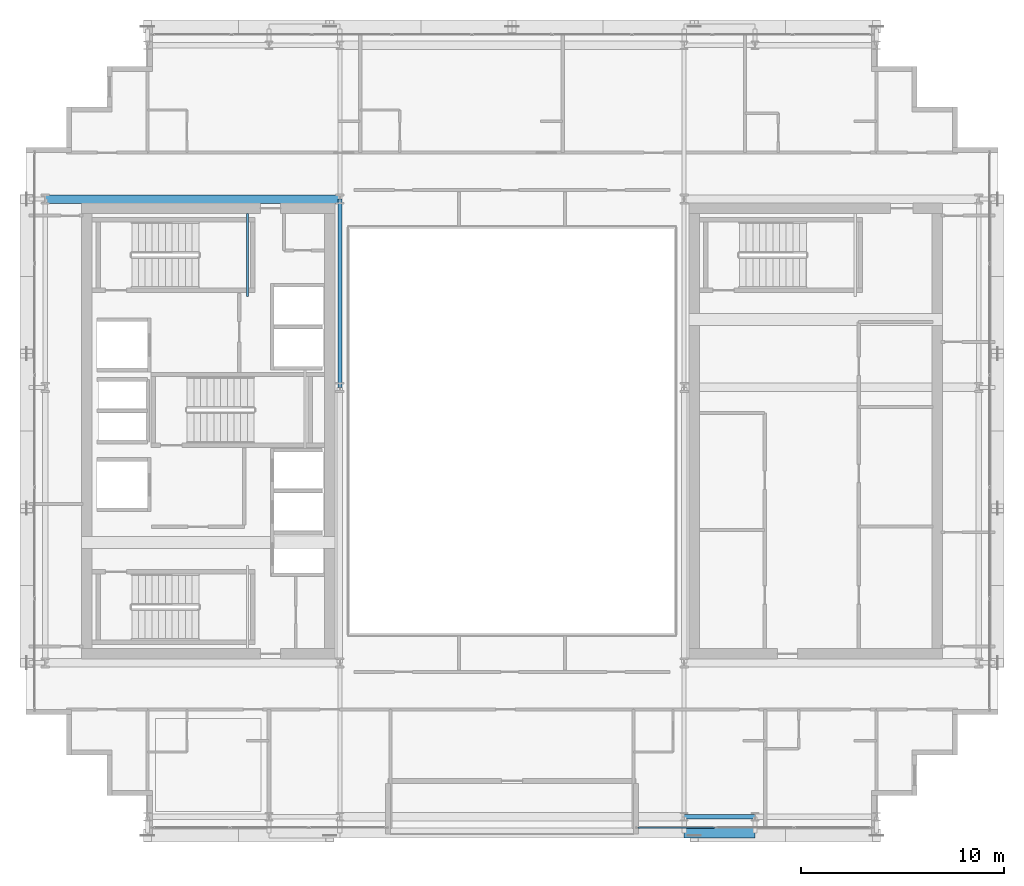
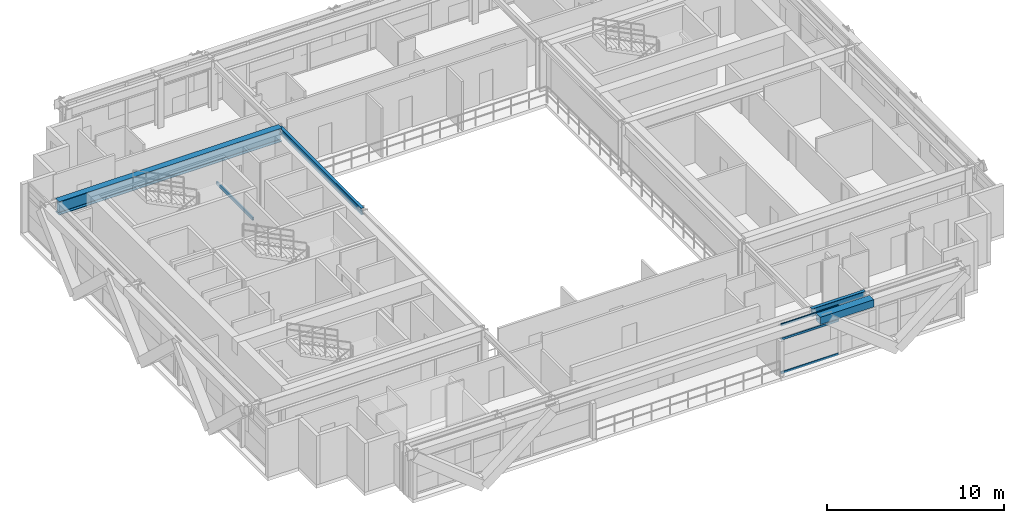
# One storey, part 9 of 32: 5 beams, 3 members, 1 element without a shape of its own.
"""IFC4 building model written with IfcOpenShell, lengths in metres."""

from ifc_helpers import new_model, si_unit, direction, frame, origin, origin_2d, place, context, subcontext, project, spatial, hollow_rectangle, i_section, extrude, source, transform, mapped, material, layer, layer_set, material_profile, profile_set, type_object, element, aggregate, save


model = new_model("IFC4")

# Units and contexts
model_context = context("Model", 3, precision=1e-05, world=origin(), true_north=direction((0.0, 1.0)))
body_context = subcontext(model_context, "Body", "Model", "MODEL_VIEW")
ifc_project = project(units=[si_unit("LENGTHUNIT", "METRE"), si_unit("AREAUNIT", "SQUARE_METRE"), si_unit("VOLUMEUNIT", "CUBIC_METRE"), si_unit("PLANEANGLEUNIT", "RADIAN"), si_unit("MASSUNIT", "GRAM", prefix="KILO")], contexts=[model_context])

# Site, building, storey
site_placement = place(None, origin())
site = spatial("IfcSite", under=ifc_project, at=site_placement, CompositionType="ELEMENT")
building_placement = place(site_placement, origin())
building = spatial("IfcBuilding", under=site, at=building_placement, Name="Ocotamira Hotel", CompositionType="ELEMENT")
storey_placement = place(building_placement, frame((0.0, 0.0, 213.60009765625)))
storey = spatial("IfcBuildingStorey", under=building, at=storey_placement, Name="L54", CompositionType="ELEMENT", Elevation=213.60009765625)

# Beams
ifc_material_1 = material(Name="Steel ASTM A500 Grade C", Category="steel")
ifc_material_profile_1 = material_profile(ifc_material_1, hollow_rectangle(XDim=0.10009765625, YDim=0.199951171875, WallThickness=0.008056640625, at=origin_2d()), Name="HSS200X100X8")
ifc_profile_set_1 = profile_set([ifc_material_profile_1], Name="Steel ASTM A500 Grade C")
beam_type_1 = type_object("IfcBeamType", Name="BM-STLDG-HSS200", PredefinedType="BEAM", material=ifc_profile_set_1)
shared_shape_1 = source(origin(), body_context, "Body", "SweptSolid", [
    extrude(hollow_rectangle(XDim=0.10009765625, YDim=0.199951171875, WallThickness=0.008056640625, at=origin_2d()), origin(), (0.0, 0.0, 1.0), 4.1201171875),
])
beam_1_placement = place(storey_placement, frame((18.949951171875, 32.6298828125, 1.5), z_axis=(0.0, 1.0, 0.0), x_axis=(-1.0, 0.0, 0.0)))
element("IfcBeam", 1, at=beam_1_placement, inside=storey, type_object=beam_type_1, Name="L54 Stair ST-2 Landing Bearer 1", PredefinedType="BEAM", context=body_context, shape_type="MappedRepresentation", body=[
    mapped(shared_shape_1, transform((0.0, 0.0, 0.0), scale=1.0)),
])
ifc_material_2 = material(Name="Steel ASTM A992 Grade 50", Category="steel")
ifc_material_profile_2 = material_profile(ifc_material_2, i_section(OverallWidth=0.41796875, OverallDepth=0.927001953125, WebThickness=0.019287109375, FlangeThickness=0.031982421875, FilletRadius=0.02392578125, at=origin_2d()), Name="W36X231")
ifc_profile_set_2 = profile_set([ifc_material_profile_2], Name="Steel ASTM A992 Grade 50")
beam_type_2 = type_object("IfcBeamType", Name="BM-GIRD-W36X231", PredefinedType="BEAM", material=ifc_profile_set_2)
shared_shape_2 = source(origin(), body_context, "Body", "SweptSolid", [
    extrude(i_section(OverallWidth=0.41796875, OverallDepth=0.927001953125, WebThickness=0.019287109375, FlangeThickness=0.031982421875, FilletRadius=0.02392578125, at=origin_2d()), origin(), (0.0, 0.0, 1.0), 14.550048828125),
])
beam_2_placement = place(storey_placement, frame((8.949951171875, 37.449951171875, 2.906494140625), z_axis=(1.0, 0.0, 0.0), x_axis=(0.0, 1.0, 0.0)))
element("IfcBeam", 2, at=beam_2_placement, inside=storey, type_object=beam_type_2, Name="L54 Girder Y37.45 X8.95-23.5", PredefinedType="BEAM", context=body_context, shape_type="MappedRepresentation", body=[
    mapped(shared_shape_2, transform((0.0, 0.0, 0.0), scale=1.0)),
])
ifc_material_profile_3 = material_profile(ifc_material_2, i_section(OverallWidth=0.2099609375, OverallDepth=0.537109375, WebThickness=0.010986328125, FlangeThickness=0.017333984375, FilletRadius=0.012939453125, at=origin_2d()), Name="W21X68")
ifc_profile_set_3 = profile_set([ifc_material_profile_3], Name="Steel ASTM A992 Grade 50")
beam_type_3 = type_object("IfcBeamType", Name="BM-SEC-W21X68", PredefinedType="JOIST", material=ifc_profile_set_3)
shared_shape_3 = source(origin(), body_context, "Body", "SweptSolid", [
    extrude(i_section(OverallWidth=0.2099609375, OverallDepth=0.537109375, WebThickness=0.010986328125, FlangeThickness=0.017333984375, FilletRadius=0.012939453125, at=origin_2d()), origin(), (0.0, 0.0, 1.0), 3.5),
])
beam_3_placement = place(storey_placement, frame((40.5, 6.949951171875, 3.101318359375), z_axis=(1.0, 0.0, 0.0), x_axis=(0.0, 1.0, 0.0)))
element("IfcBeam", 3, at=beam_3_placement, inside=storey, type_object=beam_type_3, Name="L54 Girder Y6.95 X40.5-44", PredefinedType="JOIST", context=body_context, shape_type="MappedRepresentation", body=[
    mapped(shared_shape_3, transform((0.0, 0.0, 0.0), scale=1.0)),
])
ifc_material_profile_4 = material_profile(ifc_material_2, i_section(OverallWidth=0.18994140625, OverallDepth=0.45703125, WebThickness=0.009033203125, FlangeThickness=0.014404296875, FilletRadius=0.010009765625, at=origin_2d()), Name="W18X50")
ifc_profile_set_4 = profile_set([ifc_material_profile_4], Name="Steel ASTM A992 Grade 50")
beam_type_4 = type_object("IfcBeamType", Name="BM-SEC-W18X50", PredefinedType="JOIST", material=ifc_profile_set_4)
shared_shape_4 = source(origin(), body_context, "Body", "SweptSolid", [
    extrude(i_section(OverallWidth=0.18994140625, OverallDepth=0.45703125, WebThickness=0.009033203125, FlangeThickness=0.014404296875, FilletRadius=0.010009765625, at=origin_2d()), origin(), (0.0, 0.0, 1.0), 9.300048828125),
])
beam_4_placement = place(storey_placement, frame((23.5, 28.14990234375, 3.141357421875), z_axis=(0.0, 1.0, 0.0), x_axis=(-1.0, 0.0, 0.0)))
element("IfcBeam", 4, at=beam_4_placement, inside=storey, type_object=beam_type_4, Name="L54 Beam X23.5 Y28.15-37.45", PredefinedType="JOIST", context=body_context, shape_type="MappedRepresentation", body=[
    mapped(shared_shape_4, transform((0.0, 0.0, 0.0), scale=1.0)),
])
ifc_material_profile_5 = material_profile(ifc_material_1, hollow_rectangle(XDim=0.5, YDim=0.5, WallThickness=0.02001953125, at=origin_2d()), Name="HSS500X500X20")
ifc_profile_set_5 = profile_set([ifc_material_profile_5], Name="Steel ASTM A500 Grade C")
beam_type_5 = type_object("IfcBeamType", Name="BM-SPAN-HSS500", PredefinedType="USERDEFINED", material=ifc_profile_set_5)
shared_shape_5 = source(origin(), body_context, "Body", "SweptSolid", [
    extrude(hollow_rectangle(XDim=0.5, YDim=0.5, WallThickness=0.02001953125, at=origin_2d()), origin(), (0.0, 0.0, 1.0), 3.5),
])
beam_5_placement = place(storey_placement, frame((40.5, 6.14990234375, 3.119873046875), z_axis=(1.0, 0.0, 0.0), x_axis=(0.0, 1.0, 0.0)))
element("IfcBeam", 5, at=beam_5_placement, inside=storey, type_object=beam_type_5, Name="L54 Edge Spandrel S X40.5-44", ObjectType="SPANDREL", PredefinedType="USERDEFINED", context=body_context, shape_type="MappedRepresentation", body=[
    mapped(shared_shape_5, transform((0.0, 0.0, 0.0), scale=1.0)),
])

# Curtain wall, members
ifc_material_3 = material(Name="Anodised pale-metal aluminium and solar glass", Category="aluminium")
ifc_layer = layer(ifc_material_3, 0.199951171875)
ifc_layer_set = layer_set([ifc_layer], Name="Anodised pale-metal aluminium and solar glass")
curtain_wall_type = type_object("IfcCurtainWallType", Name="CW-SYS4-Z3", PredefinedType="NOTDEFINED", material=ifc_layer_set)
curtain_wall_placement = place(storey_placement, origin())
curtain_wall = element("IfcCurtainWall", 6, at=curtain_wall_placement, inside=storey, type_object=curtain_wall_type, Name="L54 Curtain Wall CW-4 CW-L54-S2", PredefinedType="NOTDEFINED")
ifc_material_4 = material(Name="Anodised pale-metal aluminium 6063-T6", Category="aluminium")
ifc_material_profile_6 = material_profile(ifc_material_4, hollow_rectangle(XDim=0.074951171875, YDim=0.14990234375, WallThickness=0.006103515625, at=origin_2d()), Name="HSS150X75X6")
ifc_profile_set_6 = profile_set([ifc_material_profile_6], Name="Anodised pale-metal aluminium 6063-T6")
member_type = type_object("IfcMemberType", Name="CWT-150X75", PredefinedType="USERDEFINED", material=ifc_profile_set_6)
shared_shape_6 = source(origin(), body_context, "Body", "SweptSolid", [
    extrude(hollow_rectangle(XDim=0.074951171875, YDim=0.14990234375, WallThickness=0.006103515625, at=origin_2d()), origin(), (0.0, 0.0, 1.0), 3.763427734375),
])
member_1_placement = place(storey_placement, frame((38.22998046875, 6.419921875, 0.037353515625), z_axis=(1.0, 0.0, 0.0), x_axis=(0.0, 1.0, 0.0)))
member_1 = element("IfcMember", 7, at=member_1_placement, type_object=member_type, Name="CW-4 transom 1.1", ObjectType="TRANSOM", PredefinedType="USERDEFINED", context=body_context, shape_type="MappedRepresentation", body=[
    mapped(shared_shape_6, transform((0.0, 0.0, 0.0), scale=1.0)),
])
member_2_placement = place(storey_placement, frame((38.22998046875, 6.419921875, 2.349853515625), z_axis=(1.0, 0.0, 0.0), x_axis=(0.0, 1.0, 0.0)))
member_2 = element("IfcMember", 8, at=member_2_placement, type_object=member_type, Name="CW-4 transom 1.2", ObjectType="TRANSOM", PredefinedType="USERDEFINED", context=body_context, shape_type="MappedRepresentation", body=[
    mapped(shared_shape_6, transform((0.0, 0.0, 0.0), scale=1.0)),
])
member_3_placement = place(storey_placement, frame((38.22998046875, 6.419921875, 3.33251953125), z_axis=(1.0, 0.0, 0.0), x_axis=(0.0, 1.0, 0.0)))
member_3 = element("IfcMember", 9, at=member_3_placement, type_object=member_type, Name="CW-4 transom 1.3", ObjectType="TRANSOM", PredefinedType="USERDEFINED", context=body_context, shape_type="MappedRepresentation", body=[
    mapped(shared_shape_6, transform((0.0, 0.0, 0.0), scale=1.0)),
])
aggregate(curtain_wall, [member_1, member_2, member_3])

save(model, "model.ifc")
